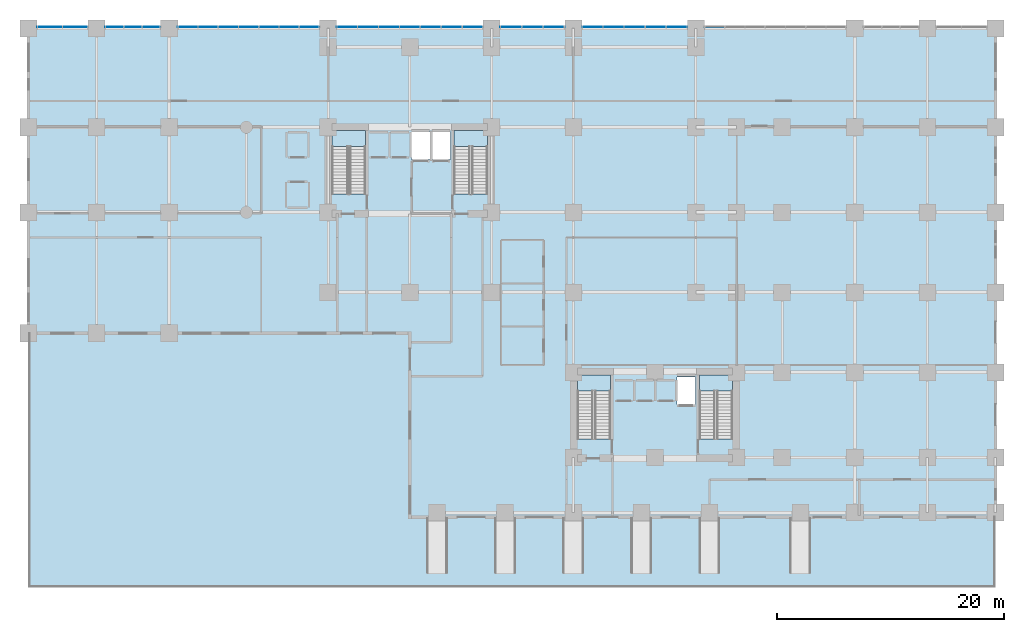
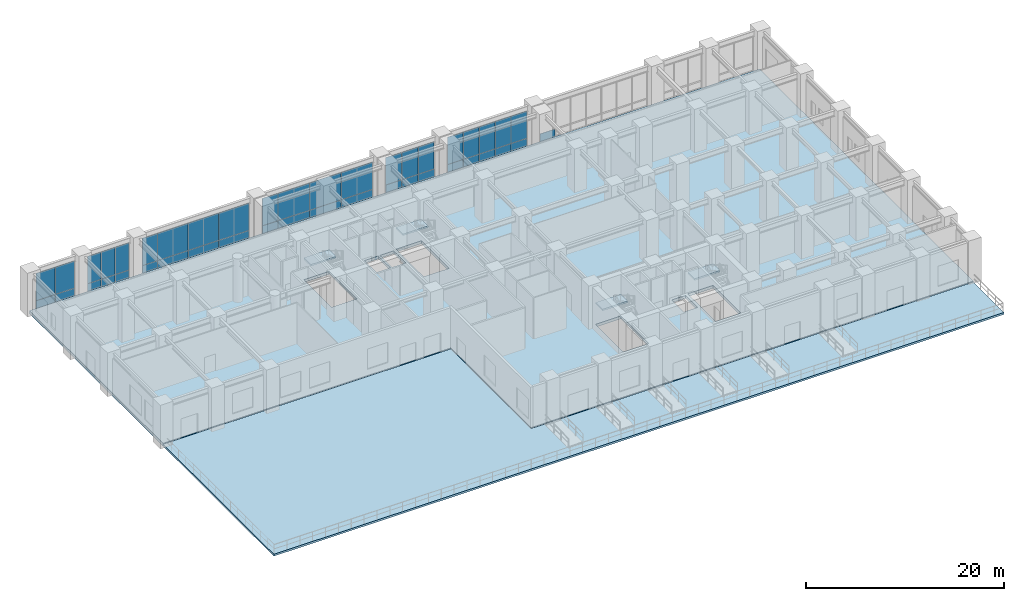
# One storey, part 12 of 22: 43 plates, 6 slabs, 11 elements without a shape of their own.
"""IFC4 building model written with IfcOpenShell, lengths in metres."""

from ifc_helpers import new_model, si_unit, direction, frame, origin, origin_2d, place, context, subcontext, project, spatial, polyline, rectangle, outline, extrude, source, transform, mapped, material, layer, layer_set, type_object, element, aggregate, save


model = new_model("IFC4")

# Units and contexts
model_context = context("Model", 3, precision=1e-05, world=origin(), true_north=direction((0.0, 1.0)))
body_context = subcontext(model_context, "Body", "Model", "MODEL_VIEW")
ifc_project = project(units=[si_unit("LENGTHUNIT", "METRE"), si_unit("AREAUNIT", "SQUARE_METRE"), si_unit("VOLUMEUNIT", "CUBIC_METRE"), si_unit("PLANEANGLEUNIT", "RADIAN"), si_unit("MASSUNIT", "GRAM", prefix="KILO")], contexts=[model_context])

# Site, building, storey
site_placement = place(None, origin())
site = spatial("IfcSite", under=ifc_project, at=site_placement, CompositionType="ELEMENT")
building_placement = place(site_placement, origin())
building = spatial("IfcBuilding", under=site, at=building_placement, Name="Kaliganga Portal Commons", CompositionType="ELEMENT")
storey_placement = place(building_placement, origin())
storey = spatial("IfcBuildingStorey", under=building, at=storey_placement, Name="L00", CompositionType="ELEMENT", Elevation=0.0)

# Slabs
ifc_material_1 = material(Name="Concrete C50/60", Category="concrete")
ifc_layer_1 = layer(ifc_material_1, 0.35009765625)
ifc_layer_set_1 = layer_set([ifc_layer_1], Name="Concrete C50/60")
slab_type_1 = type_object("IfcSlabType", Name="SLB-POD-350", PredefinedType="FLOOR", material=ifc_layer_set_1)
slab_1_placement = place(storey_placement, frame((0.0, 0.0, -0.35009765625)))
element("IfcSlab", 1, at=slab_1_placement, inside=storey, type_object=slab_type_1, Name="Structural Floor Slab L00", PredefinedType="FLOOR", context=body_context, shape_type="SweptSolid", body=[
    extrude(outline(polyline([(21.60009765625, 1.800048828125), (73.199951171875, 1.800048828125), (73.199951171875, 45.0), (-12.0, 45.0), (-12.0, 18.0), (21.60009765625, 18.0), (21.60009765625, 1.800048828125)]), holes=[polyline([(14.75, 30.25390625), (14.75, 35.85009765625), (17.699951171875, 35.85009765625), (17.699951171875, 30.25390625), (14.75, 30.25390625)]), polyline([(25.5, 30.25390625), (25.5, 35.85009765625), (28.449951171875, 35.85009765625), (28.449951171875, 30.25390625), (25.5, 30.25390625)]), polyline([(36.35009765625, 8.7041015625), (36.35009765625, 14.300048828125), (39.300048828125, 14.300048828125), (39.300048828125, 8.7041015625), (36.35009765625, 8.7041015625)]), polyline([(47.10009765625, 8.7041015625), (47.10009765625, 14.300048828125), (50.050048828125, 14.300048828125), (50.050048828125, 8.7041015625), (47.10009765625, 8.7041015625)]), polyline([(21.739990234375, 33.2900390625), (21.739990234375, 35.7099609375), (23.360107421875, 35.7099609375), (23.360107421875, 33.2900390625), (21.739990234375, 33.2900390625)]), polyline([(23.5400390625, 33.2900390625), (23.5400390625, 35.7099609375), (25.159912109375, 35.7099609375), (25.159912109375, 33.2900390625), (23.5400390625, 33.2900390625)]), polyline([(45.139892578125, 11.739990234375), (45.139892578125, 14.159912109375), (46.760009765625, 14.159912109375), (46.760009765625, 11.739990234375), (45.139892578125, 11.739990234375)])]), origin(), (0.0, 0.0, 1.0), 0.35009765625),
])
ifc_material_2 = material(Name="Concrete C40/50", Category="concrete")
ifc_layer_2 = layer(ifc_material_2, 0.235107421875)
ifc_layer_set_2 = layer_set([ifc_layer_2], Name="Concrete C40/50")
slab_type_2 = type_object("IfcSlabType", Name="SLB-PROM-235", PredefinedType="USERDEFINED", material=ifc_layer_set_2)
slab_2_placement = place(storey_placement, frame((0.0, 0.0, -0.3349609375)))
element("IfcSlab", 2, at=slab_2_placement, inside=storey, type_object=slab_type_2, Name="Canal Waterfront Public Promenade", ObjectType="PAVING", PredefinedType="USERDEFINED", context=body_context, shape_type="SweptSolid", body=[
    extrude(outline(polyline([(-12.0, -4.39990234375), (73.199951171875, -4.39990234375), (73.199951171875, 1.800048828125), (21.60009765625, 1.800048828125), (21.60009765625, 18.0), (-12.0, 18.0), (-12.0, -4.39990234375)])), origin(), (0.0, 0.0, 1.0), 0.23486328125),
])

# Stair, slab
stair_type = type_object("IfcStairType", Name="ST-CORE-DOGLEG", PredefinedType="HALF_TURN_STAIR", material=ifc_material_2)
stair_1_placement = place(storey_placement, origin())
stair_1 = element("IfcStair", 3, at=stair_1_placement, inside=storey, type_object=stair_type, Name="L00 Protected Exit Stair ST-A1", PredefinedType="HALF_TURN_STAIR")
ifc_layer_3 = layer(ifc_material_2, 0.199951171875)
ifc_layer_set_3 = layer_set([ifc_layer_3], Name="Concrete C40/50")
slab_type_3 = type_object("IfcSlabType", Name="SLB-STAIR-LND", PredefinedType="LANDING", material=ifc_layer_set_3)
slab_3_placement = place(storey_placement, frame((0.0, 0.0, 2.5)))
slab_3 = element("IfcSlab", 4, at=slab_3_placement, type_object=slab_type_3, Name="ST-A1 landing 1", PredefinedType="LANDING", context=body_context, shape_type="SweptSolid", body=[
    extrude(outline(polyline([(17.699951171875, 34.449951171875), (17.699951171875, 35.85009765625), (14.75, 35.85009765625), (14.75, 34.449951171875), (17.699951171875, 34.449951171875)])), origin(), (0.0, 0.0, 1.0), 0.199951171875),
])
aggregate(stair_1, [slab_3])

stair_2_placement = place(storey_placement, origin())
stair_2 = element("IfcStair", 5, at=stair_2_placement, inside=storey, type_object=stair_type, Name="L00 Protected Exit Stair ST-A2", PredefinedType="HALF_TURN_STAIR")
slab_4_placement = place(storey_placement, frame((0.0, 0.0, 2.5)))
slab_4 = element("IfcSlab", 6, at=slab_4_placement, type_object=slab_type_3, Name="ST-A2 landing 1", PredefinedType="LANDING", context=body_context, shape_type="SweptSolid", body=[
    extrude(outline(polyline([(28.449951171875, 34.449951171875), (28.449951171875, 35.85009765625), (25.5, 35.85009765625), (25.5, 34.449951171875), (28.449951171875, 34.449951171875)])), origin(), (0.0, 0.0, 1.0), 0.199951171875),
])
aggregate(stair_2, [slab_4])

stair_3_placement = place(storey_placement, origin())
stair_3 = element("IfcStair", 7, at=stair_3_placement, inside=storey, type_object=stair_type, Name="L00 Protected Exit Stair ST-B1", PredefinedType="HALF_TURN_STAIR")
slab_5_placement = place(storey_placement, frame((0.0, 0.0, 2.5)))
slab_5 = element("IfcSlab", 8, at=slab_5_placement, type_object=slab_type_3, Name="ST-B1 landing 1", PredefinedType="LANDING", context=body_context, shape_type="SweptSolid", body=[
    extrude(outline(polyline([(39.300048828125, 12.89990234375), (39.300048828125, 14.300048828125), (36.35009765625, 14.300048828125), (36.35009765625, 12.89990234375), (39.300048828125, 12.89990234375)])), origin(), (0.0, 0.0, 1.0), 0.199951171875),
])
aggregate(stair_3, [slab_5])

stair_4_placement = place(storey_placement, origin())
stair_4 = element("IfcStair", 9, at=stair_4_placement, inside=storey, type_object=stair_type, Name="L00 Protected Exit Stair ST-B2", PredefinedType="HALF_TURN_STAIR")
slab_6_placement = place(storey_placement, frame((0.0, 0.0, 2.5)))
slab_6 = element("IfcSlab", 10, at=slab_6_placement, type_object=slab_type_3, Name="ST-B2 landing 1", PredefinedType="LANDING", context=body_context, shape_type="SweptSolid", body=[
    extrude(outline(polyline([(50.050048828125, 12.89990234375), (50.050048828125, 14.300048828125), (47.10009765625, 14.300048828125), (47.10009765625, 12.89990234375), (50.050048828125, 12.89990234375)])), origin(), (0.0, 0.0, 1.0), 0.199951171875),
])
aggregate(stair_4, [slab_6])

# Curtain wall, plates
ifc_material_3 = material(Name="Anodized Aluminium and Laminated Low-E Glass", Category="aluminium")
ifc_layer_4 = layer(ifc_material_3, 0.219970703125)
ifc_layer_set_4 = layer_set([ifc_layer_4], Name="Anodized Aluminium and Laminated Low-E Glass")
curtain_wall_type = type_object("IfcCurtainWallType", Name="CW-SYS-01", PredefinedType="NOTDEFINED", material=ifc_layer_set_4)
curtain_wall_1_placement = place(storey_placement, origin())
curtain_wall_1 = element("IfcCurtainWall", 11, at=curtain_wall_1_placement, inside=storey, type_object=curtain_wall_type, Name="CW 01 L00 P1E02S9", PredefinedType="NOTDEFINED")
ifc_material_4 = material(Name="Insulated Dark Spandrel Panel", Category="metal")
ifc_layer_5 = layer(ifc_material_4, 0.044921875)
ifc_layer_set_5 = layer_set([ifc_layer_5], Name="Insulated Dark Spandrel Panel")
plate_type_1 = type_object("IfcPlateType", Name="PLT-SPN-45", PredefinedType="SHEET", material=ifc_layer_set_5)
shared_shape_1 = source(origin(), body_context, "Body", "SweptSolid", [
    extrude(rectangle(XDim=2.208984375, YDim=0.044921875, at=origin_2d()), origin(), (0.0, 0.0, 1.0), 0.929931640625),
])
plate_1_placement = place(storey_placement, frame((-7.87548828125, 45.0, 0.01025390625), z_axis=(0.0, 0.0, 1.0), x_axis=(-1.0, 0.0, 0.0)))
plate_1 = element("IfcPlate", 12, at=plate_1_placement, type_object=plate_type_1, Name="CW:01:L00:P1E02S9 Spandrel 00", PredefinedType="SHEET", context=body_context, shape_type="MappedRepresentation", body=[
    mapped(shared_shape_1, transform((0.0, 0.0, 0.0), x_axis=(1.0, 0.0, 0.0), y_axis=(0.0, 1.0, 0.0), z_axis=(0.0, 0.0, 1.0), scale=1.0)),
])
plate_2_placement = place(storey_placement, frame((-10.12451171875, 45.0, 0.01025390625), z_axis=(0.0, 0.0, 1.0), x_axis=(-1.0, 0.0, 0.0)))
plate_2 = element("IfcPlate", 13, at=plate_2_placement, type_object=plate_type_1, Name="CW:01:L00:P1E02S9 Spandrel 01", PredefinedType="SHEET", context=body_context, shape_type="MappedRepresentation", body=[
    mapped(shared_shape_1, transform((0.0, 0.0, 0.0), x_axis=(1.0, 0.0, 0.0), y_axis=(0.0, 1.0, 0.0), z_axis=(0.0, 0.0, 1.0), scale=1.0)),
])
ifc_material_5 = material(Name="Dark Solar-Control Laminated Low-E IGU", Category="glass")
ifc_layer_6 = layer(ifc_material_5, 0.028076171875)
ifc_layer_set_6 = layer_set([ifc_layer_6], Name="Dark Solar-Control Laminated Low-E IGU")
plate_type_2 = type_object("IfcPlateType", Name="PLT-GLZ-28", PredefinedType="CURTAIN_PANEL", material=ifc_layer_set_6)
shared_shape_2 = source(origin(), body_context, "Body", "SweptSolid", [
    extrude(rectangle(XDim=2.208984375, YDim=0.028076171875, at=origin_2d()), origin(), (0.0, 0.0, 1.0), 3.3701171875),
])
plate_3_placement = place(storey_placement, frame((-7.87548828125, 45.0, 0.9599609375), z_axis=(0.0, 0.0, 1.0), x_axis=(-1.0, 0.0, 0.0)))
plate_3 = element("IfcPlate", 14, at=plate_3_placement, type_object=plate_type_2, Name="CW:01:L00:P1E02S9 Vision IGU 00", PredefinedType="CURTAIN_PANEL", context=body_context, shape_type="MappedRepresentation", body=[
    mapped(shared_shape_2, transform((0.0, 0.0, 0.0), x_axis=(1.0, 0.0, 0.0), y_axis=(0.0, 1.0, 0.0), z_axis=(0.0, 0.0, 1.0), scale=1.0)),
])
plate_4_placement = place(storey_placement, frame((-10.12451171875, 45.0, 0.9599609375), z_axis=(0.0, 0.0, 1.0), x_axis=(-1.0, 0.0, 0.0)))
plate_4 = element("IfcPlate", 15, at=plate_4_placement, type_object=plate_type_2, Name="CW:01:L00:P1E02S9 Vision IGU 01", PredefinedType="CURTAIN_PANEL", context=body_context, shape_type="MappedRepresentation", body=[
    mapped(shared_shape_2, transform((0.0, 0.0, 0.0), x_axis=(1.0, 0.0, 0.0), y_axis=(0.0, 1.0, 0.0), z_axis=(0.0, 0.0, 1.0), scale=1.0)),
])
aggregate(curtain_wall_1, [plate_1, plate_3, plate_2, plate_4])

curtain_wall_2_placement = place(storey_placement, origin())
curtain_wall_2 = element("IfcCurtainWall", 16, at=curtain_wall_2_placement, inside=storey, type_object=curtain_wall_type, Name="CW 01 L00 P1E02S8", PredefinedType="NOTDEFINED")
shared_shape_3 = source(origin(), body_context, "Body", "SweptSolid", [
    extrude(rectangle(XDim=1.5927734375, YDim=0.044921875, at=origin_2d()), origin(), (0.0, 0.0, 1.0), 0.929931640625),
])
plate_5_placement = place(storey_placement, frame((-1.167236328125, 45.0, 0.01025390625), z_axis=(0.0, 0.0, 1.0), x_axis=(-1.0, 0.0, 0.0)))
plate_5 = element("IfcPlate", 17, at=plate_5_placement, type_object=plate_type_1, Name="CW:01:L00:P1E02S8 Spandrel 00", PredefinedType="SHEET", context=body_context, shape_type="MappedRepresentation", body=[
    mapped(shared_shape_3, transform((0.0, 0.0, 0.0), x_axis=(1.0, 0.0, 0.0), y_axis=(0.0, 1.0, 0.0), z_axis=(0.0, 0.0, 1.0), scale=1.0)),
])
plate_6_placement = place(storey_placement, frame((-2.800048828125, 45.0, 0.01025390625), z_axis=(0.0, 0.0, 1.0), x_axis=(-1.0, 0.0, 0.0)))
plate_6 = element("IfcPlate", 18, at=plate_6_placement, type_object=plate_type_1, Name="CW:01:L00:P1E02S8 Spandrel 01", PredefinedType="SHEET", context=body_context, shape_type="MappedRepresentation", body=[
    mapped(shared_shape_3, transform((0.0, 0.0, 0.0), x_axis=(1.0, 0.0, 0.0), y_axis=(0.0, 1.0, 0.0), z_axis=(0.0, 0.0, 1.0), scale=1.0)),
])
plate_7_placement = place(storey_placement, frame((-4.4326171875, 45.0, 0.01025390625), z_axis=(0.0, 0.0, 1.0), x_axis=(-1.0, 0.0, 0.0)))
plate_7 = element("IfcPlate", 19, at=plate_7_placement, type_object=plate_type_1, Name="CW:01:L00:P1E02S8 Spandrel 02", PredefinedType="SHEET", context=body_context, shape_type="MappedRepresentation", body=[
    mapped(shared_shape_3, transform((0.0, 0.0, 0.0), x_axis=(1.0, 0.0, 0.0), y_axis=(0.0, 1.0, 0.0), z_axis=(0.0, 0.0, 1.0), scale=1.0)),
])
shared_shape_4 = source(origin(), body_context, "Body", "SweptSolid", [
    extrude(rectangle(XDim=1.5927734375, YDim=0.028076171875, at=origin_2d()), origin(), (0.0, 0.0, 1.0), 3.3701171875),
])
plate_8_placement = place(storey_placement, frame((-1.167236328125, 45.0, 0.9599609375), z_axis=(0.0, 0.0, 1.0), x_axis=(-1.0, 0.0, 0.0)))
plate_8 = element("IfcPlate", 20, at=plate_8_placement, type_object=plate_type_2, Name="CW:01:L00:P1E02S8 Vision IGU 00", PredefinedType="CURTAIN_PANEL", context=body_context, shape_type="MappedRepresentation", body=[
    mapped(shared_shape_4, transform((0.0, 0.0, 0.0), x_axis=(1.0, 0.0, 0.0), y_axis=(0.0, 1.0, 0.0), z_axis=(0.0, 0.0, 1.0), scale=1.0)),
])
plate_9_placement = place(storey_placement, frame((-2.800048828125, 45.0, 0.9599609375), z_axis=(0.0, 0.0, 1.0), x_axis=(-1.0, 0.0, 0.0)))
plate_9 = element("IfcPlate", 21, at=plate_9_placement, type_object=plate_type_2, Name="CW:01:L00:P1E02S8 Vision IGU 01", PredefinedType="CURTAIN_PANEL", context=body_context, shape_type="MappedRepresentation", body=[
    mapped(shared_shape_4, transform((0.0, 0.0, 0.0), x_axis=(1.0, 0.0, 0.0), y_axis=(0.0, 1.0, 0.0), z_axis=(0.0, 0.0, 1.0), scale=1.0)),
])
plate_10_placement = place(storey_placement, frame((-4.4326171875, 45.0, 0.9599609375), z_axis=(0.0, 0.0, 1.0), x_axis=(-1.0, 0.0, 0.0)))
plate_10 = element("IfcPlate", 22, at=plate_10_placement, type_object=plate_type_2, Name="CW:01:L00:P1E02S8 Vision IGU 02", PredefinedType="CURTAIN_PANEL", context=body_context, shape_type="MappedRepresentation", body=[
    mapped(shared_shape_4, transform((0.0, 0.0, 0.0), x_axis=(1.0, 0.0, 0.0), y_axis=(0.0, 1.0, 0.0), z_axis=(0.0, 0.0, 1.0), scale=1.0)),
])
aggregate(curtain_wall_2, [plate_5, plate_8, plate_6, plate_9, plate_7, plate_10])

curtain_wall_3_placement = place(storey_placement, origin())
curtain_wall_3 = element("IfcCurtainWall", 23, at=curtain_wall_3_placement, inside=storey, type_object=curtain_wall_type, Name="CW 01 L00 P1E02S7", PredefinedType="NOTDEFINED")
shared_shape_5 = source(origin(), body_context, "Body", "SweptSolid", [
    extrude(rectangle(XDim=3.531005859375, YDim=0.044921875, at=origin_2d()), origin(), (0.0, 0.0, 1.0), 0.929931640625),
])
plate_11_placement = place(storey_placement, frame((11.863525390625, 45.0, 0.01025390625), z_axis=(0.0, 0.0, 1.0), x_axis=(-1.0, 0.0, 0.0)))
plate_11 = element("IfcPlate", 24, at=plate_11_placement, type_object=plate_type_1, Name="CW:01:L00:P1E02S7 Spandrel 00", PredefinedType="SHEET", context=body_context, shape_type="MappedRepresentation", body=[
    mapped(shared_shape_5, transform((0.0, 0.0, 0.0), x_axis=(1.0, 0.0, 0.0), y_axis=(0.0, 1.0, 0.0), z_axis=(0.0, 0.0, 1.0), scale=1.0)),
])
plate_12_placement = place(storey_placement, frame((8.292724609375, 45.0, 0.01025390625), z_axis=(0.0, 0.0, 1.0), x_axis=(-1.0, 0.0, 0.0)))
plate_12 = element("IfcPlate", 25, at=plate_12_placement, type_object=plate_type_1, Name="CW:01:L00:P1E02S7 Spandrel 02", PredefinedType="SHEET", context=body_context, shape_type="MappedRepresentation", body=[
    mapped(shared_shape_5, transform((0.0, 0.0, 0.0), x_axis=(1.0, 0.0, 0.0), y_axis=(0.0, 1.0, 0.0), z_axis=(0.0, 0.0, 1.0), scale=1.0)),
])
plate_13_placement = place(storey_placement, frame((4.721923828125, 45.0, 0.01025390625), z_axis=(0.0, 0.0, 1.0), x_axis=(-1.0, 0.0, 0.0)))
plate_13 = element("IfcPlate", 26, at=plate_13_placement, type_object=plate_type_1, Name="CW:01:L00:P1E02S7 Spandrel 04", PredefinedType="SHEET", context=body_context, shape_type="MappedRepresentation", body=[
    mapped(shared_shape_5, transform((0.0, 0.0, 0.0), x_axis=(1.0, 0.0, 0.0), y_axis=(0.0, 1.0, 0.0), z_axis=(0.0, 0.0, 1.0), scale=1.0)),
])
shared_shape_6 = source(origin(), body_context, "Body", "SweptSolid", [
    extrude(rectangle(XDim=3.531005859375, YDim=0.028076171875, at=origin_2d()), origin(), (0.0, 0.0, 1.0), 3.3701171875),
])
plate_14_placement = place(storey_placement, frame((11.863525390625, 45.0, 0.9599609375), z_axis=(0.0, 0.0, 1.0), x_axis=(-1.0, 0.0, 0.0)))
plate_14 = element("IfcPlate", 27, at=plate_14_placement, type_object=plate_type_2, Name="CW:01:L00:P1E02S7 Vision IGU 00", PredefinedType="CURTAIN_PANEL", context=body_context, shape_type="MappedRepresentation", body=[
    mapped(shared_shape_6, transform((0.0, 0.0, 0.0), x_axis=(1.0, 0.0, 0.0), y_axis=(0.0, 1.0, 0.0), z_axis=(0.0, 0.0, 1.0), scale=1.0)),
])
plate_15_placement = place(storey_placement, frame((8.292724609375, 45.0, 0.9599609375), z_axis=(0.0, 0.0, 1.0), x_axis=(-1.0, 0.0, 0.0)))
plate_15 = element("IfcPlate", 28, at=plate_15_placement, type_object=plate_type_2, Name="CW:01:L00:P1E02S7 Vision IGU 02", PredefinedType="CURTAIN_PANEL", context=body_context, shape_type="MappedRepresentation", body=[
    mapped(shared_shape_6, transform((0.0, 0.0, 0.0), x_axis=(1.0, 0.0, 0.0), y_axis=(0.0, 1.0, 0.0), z_axis=(0.0, 0.0, 1.0), scale=1.0)),
])
plate_16_placement = place(storey_placement, frame((4.721923828125, 45.0, 0.9599609375), z_axis=(0.0, 0.0, 1.0), x_axis=(-1.0, 0.0, 0.0)))
plate_16 = element("IfcPlate", 29, at=plate_16_placement, type_object=plate_type_2, Name="CW:01:L00:P1E02S7 Vision IGU 04", PredefinedType="CURTAIN_PANEL", context=body_context, shape_type="MappedRepresentation", body=[
    mapped(shared_shape_6, transform((0.0, 0.0, 0.0), x_axis=(1.0, 0.0, 0.0), y_axis=(0.0, 1.0, 0.0), z_axis=(0.0, 0.0, 1.0), scale=1.0)),
])

# Curtain wall, plate
curtain_wall_4_placement = place(storey_placement, origin())
curtain_wall_4 = element("IfcCurtainWall", 30, at=curtain_wall_4_placement, inside=storey, type_object=curtain_wall_type, Name="CW 01 L00 P1E02S3", PredefinedType="NOTDEFINED")
shared_shape_7 = source(origin(), body_context, "Body", "SweptSolid", [
    extrude(rectangle(XDim=1.745361328125, YDim=0.044921875, at=origin_2d()), origin(), (0.0, 0.0, 1.0), 0.929931640625),
])
plate_17_placement = place(storey_placement, frame((48.443603515625, 45.0, 0.01025390625), z_axis=(0.0, 0.0, 1.0), x_axis=(-1.0, 0.0, 0.0)))
plate_17 = element("IfcPlate", 31, at=plate_17_placement, type_object=plate_type_1, Name="CW:01:L00:P1E02S3 Spandrel 06", PredefinedType="SHEET", context=body_context, shape_type="MappedRepresentation", body=[
    mapped(shared_shape_7, transform((0.0, 0.0, 0.0), x_axis=(1.0, 0.0, 0.0), y_axis=(0.0, 1.0, 0.0), z_axis=(0.0, 0.0, 1.0), scale=1.0)),
])
aggregate(curtain_wall_4, [plate_17])

# Plate
plate_18_placement = place(storey_placement, frame((2.043701171875, 45.0, 0.01025390625), z_axis=(0.0, 0.0, 1.0), x_axis=(-1.0, 0.0, 0.0)))
plate_18 = element("IfcPlate", 32, at=plate_18_placement, type_object=plate_type_1, Name="CW:01:L00:P1E02S7 Spandrel 06", PredefinedType="SHEET", context=body_context, shape_type="MappedRepresentation", body=[
    mapped(shared_shape_7, transform((0.0, 0.0, 0.0), x_axis=(1.0, 0.0, 0.0), y_axis=(0.0, 1.0, 0.0), z_axis=(0.0, 0.0, 1.0), scale=1.0)),
])

shared_shape_8 = source(origin(), body_context, "Body", "SweptSolid", [
    extrude(rectangle(XDim=1.745361328125, YDim=0.028076171875, at=origin_2d()), origin(), (0.0, 0.0, 1.0), 3.3701171875),
])
plate_19_placement = place(storey_placement, frame((2.043701171875, 45.0, 0.9599609375), z_axis=(0.0, 0.0, 1.0), x_axis=(-1.0, 0.0, 0.0)))
plate_19 = element("IfcPlate", 33, at=plate_19_placement, type_object=plate_type_2, Name="CW:01:L00:P1E02S7 Vision IGU 06", PredefinedType="CURTAIN_PANEL", context=body_context, shape_type="MappedRepresentation", body=[
    mapped(shared_shape_8, transform((0.0, 0.0, 0.0), x_axis=(1.0, 0.0, 0.0), y_axis=(0.0, 1.0, 0.0), z_axis=(0.0, 0.0, 1.0), scale=1.0)),
])

aggregate(curtain_wall_3, [plate_11, plate_14, plate_12, plate_15, plate_13, plate_16, plate_18, plate_19])

# Curtain wall, plates
curtain_wall_5_placement = place(storey_placement, origin())
curtain_wall_5 = element("IfcCurtainWall", 34, at=curtain_wall_5_placement, inside=storey, type_object=curtain_wall_type, Name="CW 01 L00 P1E02S4", PredefinedType="NOTDEFINED")
shared_shape_9 = source(origin(), body_context, "Body", "SweptSolid", [
    extrude(rectangle(XDim=1.819580078125, YDim=0.044921875, at=origin_2d()), origin(), (0.0, 0.0, 1.0), 0.929931640625),
])
plate_20_placement = place(storey_placement, frame((45.119140625, 45.0, 0.01025390625), z_axis=(0.0, 0.0, 1.0), x_axis=(-1.0, 0.0, 0.0)))
plate_20 = element("IfcPlate", 35, at=plate_20_placement, type_object=plate_type_1, Name="CW:01:L00:P1E02S4 Spandrel 00", PredefinedType="SHEET", context=body_context, shape_type="MappedRepresentation", body=[
    mapped(shared_shape_9, transform((0.0, 0.0, 0.0), x_axis=(1.0, 0.0, 0.0), y_axis=(0.0, 1.0, 0.0), z_axis=(0.0, 0.0, 1.0), scale=1.0)),
])
plate_21_placement = place(storey_placement, frame((43.259521484375, 45.0, 0.01025390625), z_axis=(0.0, 0.0, 1.0), x_axis=(-1.0, 0.0, 0.0)))
plate_21 = element("IfcPlate", 36, at=plate_21_placement, type_object=plate_type_1, Name="CW:01:L00:P1E02S4 Spandrel 01", PredefinedType="SHEET", context=body_context, shape_type="MappedRepresentation", body=[
    mapped(shared_shape_9, transform((0.0, 0.0, 0.0), x_axis=(1.0, 0.0, 0.0), y_axis=(0.0, 1.0, 0.0), z_axis=(0.0, 0.0, 1.0), scale=1.0)),
])
plate_22_placement = place(storey_placement, frame((41.39990234375, 45.0, 0.01025390625), z_axis=(0.0, 0.0, 1.0), x_axis=(-1.0, 0.0, 0.0)))
plate_22 = element("IfcPlate", 37, at=plate_22_placement, type_object=plate_type_1, Name="CW:01:L00:P1E02S4 Spandrel 02", PredefinedType="SHEET", context=body_context, shape_type="MappedRepresentation", body=[
    mapped(shared_shape_9, transform((0.0, 0.0, 0.0), x_axis=(1.0, 0.0, 0.0), y_axis=(0.0, 1.0, 0.0), z_axis=(0.0, 0.0, 1.0), scale=1.0)),
])
plate_23_placement = place(storey_placement, frame((39.540283203125, 45.0, 0.01025390625), z_axis=(0.0, 0.0, 1.0), x_axis=(-1.0, 0.0, 0.0)))
plate_23 = element("IfcPlate", 38, at=plate_23_placement, type_object=plate_type_1, Name="CW:01:L00:P1E02S4 Spandrel 03", PredefinedType="SHEET", context=body_context, shape_type="MappedRepresentation", body=[
    mapped(shared_shape_9, transform((0.0, 0.0, 0.0), x_axis=(1.0, 0.0, 0.0), y_axis=(0.0, 1.0, 0.0), z_axis=(0.0, 0.0, 1.0), scale=1.0)),
])
plate_24_placement = place(storey_placement, frame((37.680908203125, 45.0, 0.01025390625), z_axis=(0.0, 0.0, 1.0), x_axis=(-1.0, 0.0, 0.0)))
plate_24 = element("IfcPlate", 39, at=plate_24_placement, type_object=plate_type_1, Name="CW:01:L00:P1E02S4 Spandrel 04", PredefinedType="SHEET", context=body_context, shape_type="MappedRepresentation", body=[
    mapped(shared_shape_9, transform((0.0, 0.0, 0.0), x_axis=(1.0, 0.0, 0.0), y_axis=(0.0, 1.0, 0.0), z_axis=(0.0, 0.0, 1.0), scale=1.0)),
])
shared_shape_10 = source(origin(), body_context, "Body", "SweptSolid", [
    extrude(rectangle(XDim=1.819580078125, YDim=0.028076171875, at=origin_2d()), origin(), (0.0, 0.0, 1.0), 3.3701171875),
])
plate_25_placement = place(storey_placement, frame((45.119140625, 45.0, 0.9599609375), z_axis=(0.0, 0.0, 1.0), x_axis=(-1.0, 0.0, 0.0)))
plate_25 = element("IfcPlate", 40, at=plate_25_placement, type_object=plate_type_2, Name="CW:01:L00:P1E02S4 Vision IGU 00", PredefinedType="CURTAIN_PANEL", context=body_context, shape_type="MappedRepresentation", body=[
    mapped(shared_shape_10, transform((0.0, 0.0, 0.0), x_axis=(1.0, 0.0, 0.0), y_axis=(0.0, 1.0, 0.0), z_axis=(0.0, 0.0, 1.0), scale=1.0)),
])
plate_26_placement = place(storey_placement, frame((43.259521484375, 45.0, 0.9599609375), z_axis=(0.0, 0.0, 1.0), x_axis=(-1.0, 0.0, 0.0)))
plate_26 = element("IfcPlate", 41, at=plate_26_placement, type_object=plate_type_2, Name="CW:01:L00:P1E02S4 Vision IGU 01", PredefinedType="CURTAIN_PANEL", context=body_context, shape_type="MappedRepresentation", body=[
    mapped(shared_shape_10, transform((0.0, 0.0, 0.0), x_axis=(1.0, 0.0, 0.0), y_axis=(0.0, 1.0, 0.0), z_axis=(0.0, 0.0, 1.0), scale=1.0)),
])
plate_27_placement = place(storey_placement, frame((41.39990234375, 45.0, 0.9599609375), z_axis=(0.0, 0.0, 1.0), x_axis=(-1.0, 0.0, 0.0)))
plate_27 = element("IfcPlate", 42, at=plate_27_placement, type_object=plate_type_2, Name="CW:01:L00:P1E02S4 Vision IGU 02", PredefinedType="CURTAIN_PANEL", context=body_context, shape_type="MappedRepresentation", body=[
    mapped(shared_shape_10, transform((0.0, 0.0, 0.0), x_axis=(1.0, 0.0, 0.0), y_axis=(0.0, 1.0, 0.0), z_axis=(0.0, 0.0, 1.0), scale=1.0)),
])
plate_28_placement = place(storey_placement, frame((39.540283203125, 45.0, 0.9599609375), z_axis=(0.0, 0.0, 1.0), x_axis=(-1.0, 0.0, 0.0)))
plate_28 = element("IfcPlate", 43, at=plate_28_placement, type_object=plate_type_2, Name="CW:01:L00:P1E02S4 Vision IGU 03", PredefinedType="CURTAIN_PANEL", context=body_context, shape_type="MappedRepresentation", body=[
    mapped(shared_shape_10, transform((0.0, 0.0, 0.0), x_axis=(1.0, 0.0, 0.0), y_axis=(0.0, 1.0, 0.0), z_axis=(0.0, 0.0, 1.0), scale=1.0)),
])
plate_29_placement = place(storey_placement, frame((37.680908203125, 45.0, 0.9599609375), z_axis=(0.0, 0.0, 1.0), x_axis=(-1.0, 0.0, 0.0)))
plate_29 = element("IfcPlate", 44, at=plate_29_placement, type_object=plate_type_2, Name="CW:01:L00:P1E02S4 Vision IGU 04", PredefinedType="CURTAIN_PANEL", context=body_context, shape_type="MappedRepresentation", body=[
    mapped(shared_shape_10, transform((0.0, 0.0, 0.0), x_axis=(1.0, 0.0, 0.0), y_axis=(0.0, 1.0, 0.0), z_axis=(0.0, 0.0, 1.0), scale=1.0)),
])
aggregate(curtain_wall_5, [plate_20, plate_25, plate_21, plate_26, plate_22, plate_27, plate_23, plate_28, plate_24, plate_29])

curtain_wall_6_placement = place(storey_placement, origin())
curtain_wall_6 = element("IfcCurtainWall", 45, at=curtain_wall_6_placement, inside=storey, type_object=curtain_wall_type, Name="CW 01 L00 P1E02S5", PredefinedType="NOTDEFINED")
shared_shape_11 = source(origin(), body_context, "Body", "SweptSolid", [
    extrude(rectangle(XDim=1.859375, YDim=0.044921875, at=origin_2d()), origin(), (0.0, 0.0, 1.0), 0.929931640625),
])
plate_30_placement = place(storey_placement, frame((34.29931640625, 45.0, 0.01025390625), z_axis=(0.0, 0.0, 1.0), x_axis=(-1.0, 0.0, 0.0)))
plate_30 = element("IfcPlate", 46, at=plate_30_placement, type_object=plate_type_1, Name="CW:01:L00:P1E02S5 Spandrel 00", PredefinedType="SHEET", context=body_context, shape_type="MappedRepresentation", body=[
    mapped(shared_shape_11, transform((0.0, 0.0, 0.0), x_axis=(1.0, 0.0, 0.0), y_axis=(0.0, 1.0, 0.0), z_axis=(0.0, 0.0, 1.0), scale=1.0)),
])
plate_31_placement = place(storey_placement, frame((32.39990234375, 45.0, 0.01025390625), z_axis=(0.0, 0.0, 1.0), x_axis=(-1.0, 0.0, 0.0)))
plate_31 = element("IfcPlate", 47, at=plate_31_placement, type_object=plate_type_1, Name="CW:01:L00:P1E02S5 Spandrel 01", PredefinedType="SHEET", context=body_context, shape_type="MappedRepresentation", body=[
    mapped(shared_shape_11, transform((0.0, 0.0, 0.0), x_axis=(1.0, 0.0, 0.0), y_axis=(0.0, 1.0, 0.0), z_axis=(0.0, 0.0, 1.0), scale=1.0)),
])
plate_32_placement = place(storey_placement, frame((30.500732421875, 45.0, 0.01025390625), z_axis=(0.0, 0.0, 1.0), x_axis=(-1.0, 0.0, 0.0)))
plate_32 = element("IfcPlate", 48, at=plate_32_placement, type_object=plate_type_1, Name="CW:01:L00:P1E02S5 Spandrel 02", PredefinedType="SHEET", context=body_context, shape_type="MappedRepresentation", body=[
    mapped(shared_shape_11, transform((0.0, 0.0, 0.0), x_axis=(1.0, 0.0, 0.0), y_axis=(0.0, 1.0, 0.0), z_axis=(0.0, 0.0, 1.0), scale=1.0)),
])
shared_shape_12 = source(origin(), body_context, "Body", "SweptSolid", [
    extrude(rectangle(XDim=1.859375, YDim=0.028076171875, at=origin_2d()), origin(), (0.0, 0.0, 1.0), 3.3701171875),
])
plate_33_placement = place(storey_placement, frame((34.29931640625, 45.0, 0.9599609375), z_axis=(0.0, 0.0, 1.0), x_axis=(-1.0, 0.0, 0.0)))
plate_33 = element("IfcPlate", 49, at=plate_33_placement, type_object=plate_type_2, Name="CW:01:L00:P1E02S5 Vision IGU 00", PredefinedType="CURTAIN_PANEL", context=body_context, shape_type="MappedRepresentation", body=[
    mapped(shared_shape_12, transform((0.0, 0.0, 0.0), x_axis=(1.0, 0.0, 0.0), y_axis=(0.0, 1.0, 0.0), z_axis=(0.0, 0.0, 1.0), scale=1.0)),
])
plate_34_placement = place(storey_placement, frame((32.39990234375, 45.0, 0.9599609375), z_axis=(0.0, 0.0, 1.0), x_axis=(-1.0, 0.0, 0.0)))
plate_34 = element("IfcPlate", 50, at=plate_34_placement, type_object=plate_type_2, Name="CW:01:L00:P1E02S5 Vision IGU 01", PredefinedType="CURTAIN_PANEL", context=body_context, shape_type="MappedRepresentation", body=[
    mapped(shared_shape_12, transform((0.0, 0.0, 0.0), x_axis=(1.0, 0.0, 0.0), y_axis=(0.0, 1.0, 0.0), z_axis=(0.0, 0.0, 1.0), scale=1.0)),
])
plate_35_placement = place(storey_placement, frame((30.500732421875, 45.0, 0.9599609375), z_axis=(0.0, 0.0, 1.0), x_axis=(-1.0, 0.0, 0.0)))
plate_35 = element("IfcPlate", 51, at=plate_35_placement, type_object=plate_type_2, Name="CW:01:L00:P1E02S5 Vision IGU 02", PredefinedType="CURTAIN_PANEL", context=body_context, shape_type="MappedRepresentation", body=[
    mapped(shared_shape_12, transform((0.0, 0.0, 0.0), x_axis=(1.0, 0.0, 0.0), y_axis=(0.0, 1.0, 0.0), z_axis=(0.0, 0.0, 1.0), scale=1.0)),
])
aggregate(curtain_wall_6, [plate_30, plate_33, plate_31, plate_34, plate_32, plate_35])

curtain_wall_7_placement = place(storey_placement, origin())
curtain_wall_7 = element("IfcCurtainWall", 52, at=curtain_wall_7_placement, inside=storey, type_object=curtain_wall_type, Name="CW 01 L00 P1E02S6", PredefinedType="NOTDEFINED")
shared_shape_13 = source(origin(), body_context, "Body", "SweptSolid", [
    extrude(rectangle(XDim=3.64501953125, YDim=0.044921875, at=origin_2d()), origin(), (0.0, 0.0, 1.0), 0.929931640625),
])
plate_36_placement = place(storey_placement, frame((26.206298828125, 45.0, 0.01025390625), z_axis=(0.0, 0.0, 1.0), x_axis=(-1.0, 0.0, 0.0)))
plate_36 = element("IfcPlate", 53, at=plate_36_placement, type_object=plate_type_1, Name="CW:01:L00:P1E02S6 Spandrel 00", PredefinedType="SHEET", context=body_context, shape_type="MappedRepresentation", body=[
    mapped(shared_shape_13, transform((0.0, 0.0, 0.0), x_axis=(1.0, 0.0, 0.0), y_axis=(0.0, 1.0, 0.0), z_axis=(0.0, 0.0, 1.0), scale=1.0)),
])
plate_37_placement = place(storey_placement, frame((22.521240234375, 45.0, 0.01025390625), z_axis=(0.0, 0.0, 1.0), x_axis=(-1.0, 0.0, 0.0)))
plate_37 = element("IfcPlate", 54, at=plate_37_placement, type_object=plate_type_1, Name="CW:01:L00:P1E02S6 Spandrel 02", PredefinedType="SHEET", context=body_context, shape_type="MappedRepresentation", body=[
    mapped(shared_shape_13, transform((0.0, 0.0, 0.0), x_axis=(1.0, 0.0, 0.0), y_axis=(0.0, 1.0, 0.0), z_axis=(0.0, 0.0, 1.0), scale=1.0)),
])
plate_38_placement = place(storey_placement, frame((18.836181640625, 45.0, 0.01025390625), z_axis=(0.0, 0.0, 1.0), x_axis=(-1.0, 0.0, 0.0)))
plate_38 = element("IfcPlate", 55, at=plate_38_placement, type_object=plate_type_1, Name="CW:01:L00:P1E02S6 Spandrel 04", PredefinedType="SHEET", context=body_context, shape_type="MappedRepresentation", body=[
    mapped(shared_shape_13, transform((0.0, 0.0, 0.0), x_axis=(1.0, 0.0, 0.0), y_axis=(0.0, 1.0, 0.0), z_axis=(0.0, 0.0, 1.0), scale=1.0)),
])
shared_shape_14 = source(origin(), body_context, "Body", "SweptSolid", [
    extrude(rectangle(XDim=3.64501953125, YDim=0.028076171875, at=origin_2d()), origin(), (0.0, 0.0, 1.0), 3.3701171875),
])
plate_39_placement = place(storey_placement, frame((26.206298828125, 45.0, 0.9599609375), z_axis=(0.0, 0.0, 1.0), x_axis=(-1.0, 0.0, 0.0)))
plate_39 = element("IfcPlate", 56, at=plate_39_placement, type_object=plate_type_2, Name="CW:01:L00:P1E02S6 Vision IGU 00", PredefinedType="CURTAIN_PANEL", context=body_context, shape_type="MappedRepresentation", body=[
    mapped(shared_shape_14, transform((0.0, 0.0, 0.0), x_axis=(1.0, 0.0, 0.0), y_axis=(0.0, 1.0, 0.0), z_axis=(0.0, 0.0, 1.0), scale=1.0)),
])
plate_40_placement = place(storey_placement, frame((22.521240234375, 45.0, 0.9599609375), z_axis=(0.0, 0.0, 1.0), x_axis=(-1.0, 0.0, 0.0)))
plate_40 = element("IfcPlate", 57, at=plate_40_placement, type_object=plate_type_2, Name="CW:01:L00:P1E02S6 Vision IGU 02", PredefinedType="CURTAIN_PANEL", context=body_context, shape_type="MappedRepresentation", body=[
    mapped(shared_shape_14, transform((0.0, 0.0, 0.0), x_axis=(1.0, 0.0, 0.0), y_axis=(0.0, 1.0, 0.0), z_axis=(0.0, 0.0, 1.0), scale=1.0)),
])
plate_41_placement = place(storey_placement, frame((18.836181640625, 45.0, 0.9599609375), z_axis=(0.0, 0.0, 1.0), x_axis=(-1.0, 0.0, 0.0)))
plate_41 = element("IfcPlate", 58, at=plate_41_placement, type_object=plate_type_2, Name="CW:01:L00:P1E02S6 Vision IGU 04", PredefinedType="CURTAIN_PANEL", context=body_context, shape_type="MappedRepresentation", body=[
    mapped(shared_shape_14, transform((0.0, 0.0, 0.0), x_axis=(1.0, 0.0, 0.0), y_axis=(0.0, 1.0, 0.0), z_axis=(0.0, 0.0, 1.0), scale=1.0)),
])
shared_shape_15 = source(origin(), body_context, "Body", "SweptSolid", [
    extrude(rectangle(XDim=1.802490234375, YDim=0.044921875, at=origin_2d()), origin(), (0.0, 0.0, 1.0), 0.929931640625),
])
plate_42_placement = place(storey_placement, frame((16.072265625, 45.0, 0.01025390625), z_axis=(0.0, 0.0, 1.0), x_axis=(-1.0, 0.0, 0.0)))
plate_42 = element("IfcPlate", 59, at=plate_42_placement, type_object=plate_type_1, Name="CW:01:L00:P1E02S6 Spandrel 06", PredefinedType="SHEET", context=body_context, shape_type="MappedRepresentation", body=[
    mapped(shared_shape_15, transform((0.0, 0.0, 0.0), x_axis=(1.0, 0.0, 0.0), y_axis=(0.0, 1.0, 0.0), z_axis=(0.0, 0.0, 1.0), scale=1.0)),
])
shared_shape_16 = source(origin(), body_context, "Body", "SweptSolid", [
    extrude(rectangle(XDim=1.802490234375, YDim=0.028076171875, at=origin_2d()), origin(), (0.0, 0.0, 1.0), 3.3701171875),
])
plate_43_placement = place(storey_placement, frame((16.072265625, 45.0, 0.9599609375), z_axis=(0.0, 0.0, 1.0), x_axis=(-1.0, 0.0, 0.0)))
plate_43 = element("IfcPlate", 60, at=plate_43_placement, type_object=plate_type_2, Name="CW:01:L00:P1E02S6 Vision IGU 06", PredefinedType="CURTAIN_PANEL", context=body_context, shape_type="MappedRepresentation", body=[
    mapped(shared_shape_16, transform((0.0, 0.0, 0.0), x_axis=(1.0, 0.0, 0.0), y_axis=(0.0, 1.0, 0.0), z_axis=(0.0, 0.0, 1.0), scale=1.0)),
])
aggregate(curtain_wall_7, [plate_36, plate_39, plate_37, plate_40, plate_38, plate_41, plate_42, plate_43])

save(model, "model.ifc")
